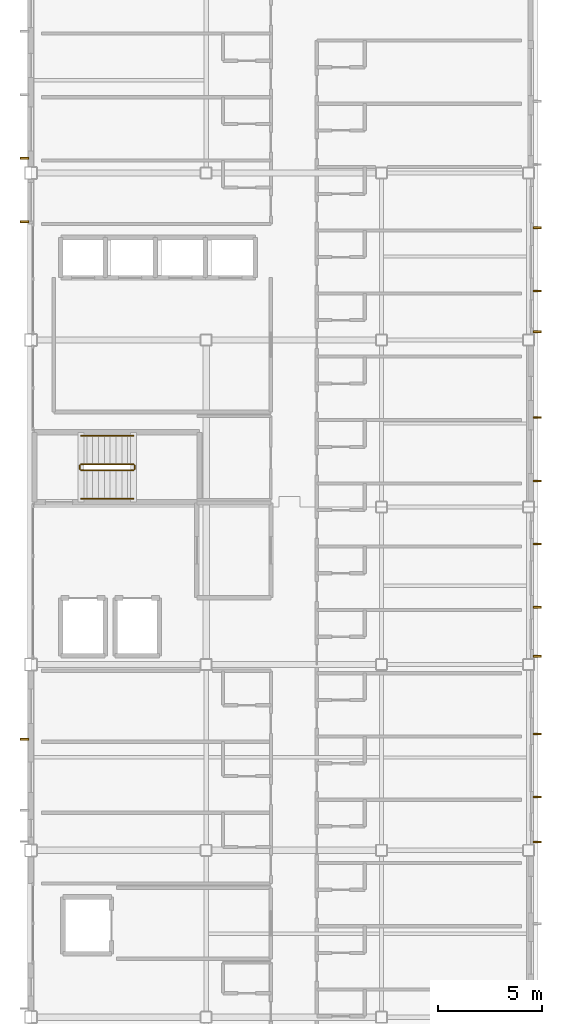
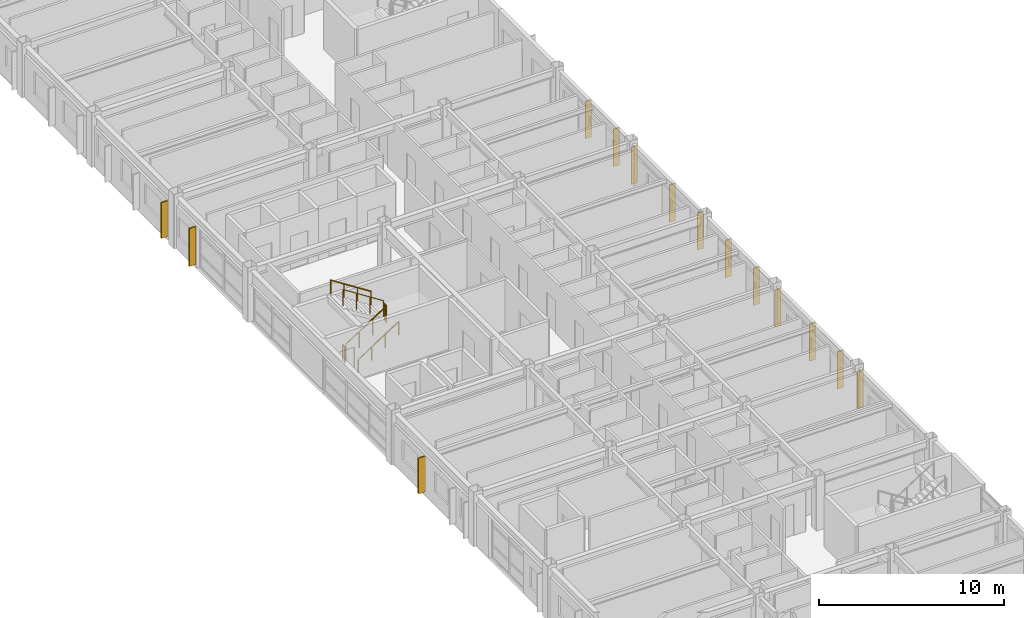
# One storey, part 36 of 38: 11 shading devices, 6 railings, 3 coverings.
"""IFC4 building model written with IfcOpenShell, lengths in metres."""

from ifc_helpers import new_model, si_unit, direction, frame, origin, origin_2d, place, context, subcontext, project, spatial, rectangle, circle, extrude, material, layer, layer_set, type_object, element, save


model = new_model("IFC4")

# Units and contexts
model_context = context("Model", 3, precision=1e-05, world=origin(), true_north=direction((0.0, 1.0)))
body_context = subcontext(model_context, "Body", "Model", "MODEL_VIEW")
ifc_project = project(units=[si_unit("LENGTHUNIT", "METRE"), si_unit("AREAUNIT", "SQUARE_METRE"), si_unit("VOLUMEUNIT", "CUBIC_METRE"), si_unit("PLANEANGLEUNIT", "RADIAN"), si_unit("MASSUNIT", "GRAM", prefix="KILO")], contexts=[model_context])

# Site, building, storey
site_placement = place(None, origin())
site = spatial("IfcSite", under=ifc_project, at=site_placement, CompositionType="ELEMENT")
building_placement = place(site_placement, origin())
building = spatial("IfcBuilding", under=site, at=building_placement, Name="Kazehara Bluff Congress Hotel", CompositionType="ELEMENT")
storey_placement = place(building_placement, frame((0.0, 0.0, 24.60009765625)))
storey = spatial("IfcBuildingStorey", under=building, at=storey_placement, Name="L05", CompositionType="ELEMENT", Elevation=24.60009765625)

# Coverings
ifc_material_1 = material(Name="Anodised aluminium architectural brise-soleil", Category="aluminium")
ifc_layer_1 = layer(ifc_material_1, 0.090087890625)
ifc_layer_set_1 = layer_set([ifc_layer_1], Name="Anodised aluminium architectural brise-soleil")
covering_type = type_object("IfcCoveringType", Name="TP-FFN-02", PredefinedType="CLADDING", material=ifc_layer_set_1)
covering_1_placement = place(storey_placement, frame((143.389892578125, 37.320068359375, 0.202392578125), z_axis=(0.0, 0.0, 1.0), x_axis=(1.0, 0.0, 0.0)))
element("IfcCovering", 1, at=covering_1_placement, inside=storey, type_object=covering_type, Name="L05 architectural vertical fin 37", PredefinedType="CLADDING", context=body_context, shape_type="SweptSolid", body=[
    extrude(rectangle(XDim=0.419921875, YDim=0.090087890625, at=origin_2d()), origin(), (0.0, 0.0, 1.0), 2.35498046875),
])
covering_2_placement = place(storey_placement, frame((143.389892578125, 62.1201171875, 0.197509765625), z_axis=(0.0, 0.0, 1.0), x_axis=(1.0, 0.0, 0.0)))
element("IfcCovering", 2, at=covering_2_placement, inside=storey, type_object=covering_type, Name="L05 architectural vertical fin 38", PredefinedType="CLADDING", context=body_context, shape_type="SweptSolid", body=[
    extrude(rectangle(XDim=0.419921875, YDim=0.090087890625, at=origin_2d()), origin(), (0.0, 0.0, 1.0), 2.5048828125),
])
covering_3_placement = place(storey_placement, frame((143.389892578125, 65.1650390625, 0.202392578125), z_axis=(0.0, 0.0, 1.0), x_axis=(1.0, 0.0, 0.0)))
element("IfcCovering", 3, at=covering_3_placement, inside=storey, type_object=covering_type, Name="L05 architectural vertical fin 39", PredefinedType="CLADDING", context=body_context, shape_type="SweptSolid", body=[
    extrude(rectangle(XDim=0.419921875, YDim=0.090087890625, at=origin_2d()), origin(), (0.0, 0.0, 1.0), 2.35498046875),
])

# Railings
ifc_material_2 = material(Name="Brushed stainless steel", Category="steel")
railing_type_1 = type_object("IfcRailingType", Name="TP-GRD-INT", PredefinedType="GUARDRAIL", material=ifc_material_2)
railing_1_placement = place(storey_placement, frame((146.10009765625, 50.199951171875, 0.179931640625)))
element("IfcRailing", 4, at=railing_1_placement, inside=storey, type_object=railing_type_1, Name="L05 ST-11 stair guard 1", PredefinedType="GUARDRAIL", context=body_context, shape_type="SweptSolid", body=[
    extrude(circle(Radius=0.02392578125, at=origin_2d()), frame((0.0, 0.0, 1.076171875), z_axis=(0.841199657755, 0.0, 0.540724639528), x_axis=(0.0, 1.0, 0.0)), (0.0, 0.0, 1.0), 2.995849609375),
    extrude(circle(Radius=0.02099609375, at=origin_2d()), origin(), (0.0, 0.0, 1.0), 1.052001953125),
    extrude(circle(Radius=0.02099609375, at=origin_2d()), frame((0.840087890625, 0.0, 0.5400390625)), (0.0, 0.0, 1.0), 1.052001953125),
    extrude(circle(Radius=0.02099609375, at=origin_2d()), frame((1.679931640625, 0.0, 1.079833984375)), (0.0, 0.0, 1.0), 1.052001953125),
    extrude(circle(Radius=0.02099609375, at=origin_2d()), frame((2.52001953125, 0.0, 1.619873046875)), (0.0, 0.0, 1.0), 1.052001953125),
])
railing_2_placement = place(storey_placement, frame((148.669921875, 50.25, 1.7998046875)))
element("IfcRailing", 5, at=railing_2_placement, inside=storey, type_object=railing_type_1, Name="L05 ST-11 stair guard 2", PredefinedType="GUARDRAIL", context=body_context, shape_type="SweptSolid", body=[
    extrude(circle(Radius=0.02392578125, at=origin_2d()), frame((0.0, 0.0, 1.076171875), z_axis=(0.0, 1.0, 0.0), x_axis=(-1.0, 0.0, 0.0)), (0.0, 0.0, 1.0), 0.199951171875),
    extrude(circle(Radius=0.02099609375, at=origin_2d()), origin(), (0.0, 0.0, 1.0), 1.052001953125),
    extrude(circle(Radius=0.02099609375, at=origin_2d()), frame((0.0, 0.199951171875, 0.0)), (0.0, 0.0, 1.0), 1.052001953125),
])
railing_3_placement = place(storey_placement, frame((148.6201171875, 50.5, 1.97998046875)))
element("IfcRailing", 6, at=railing_3_placement, inside=storey, type_object=railing_type_1, Name="L05 ST-11 stair guard 3", PredefinedType="GUARDRAIL", context=body_context, shape_type="SweptSolid", body=[
    extrude(circle(Radius=0.02392578125, at=origin_2d()), frame((0.0, 0.0, 1.076171875), z_axis=(-0.841199657755, 0.0, 0.540724639528), x_axis=(0.0, -1.0, 0.0)), (0.0, 0.0, 1.0), 2.995849609375),
    extrude(circle(Radius=0.02099609375, at=origin_2d()), origin(), (0.0, 0.0, 1.0), 1.052001953125),
    extrude(circle(Radius=0.02099609375, at=origin_2d()), frame((-0.840087890625, 0.0, 0.5400390625)), (0.0, 0.0, 1.0), 1.052001953125),
    extrude(circle(Radius=0.02099609375, at=origin_2d()), frame((-1.679931640625, 0.0, 1.079833984375)), (0.0, 0.0, 1.0), 1.052001953125),
    extrude(circle(Radius=0.02099609375, at=origin_2d()), frame((-2.52001953125, 0.0, 1.619873046875)), (0.0, 0.0, 1.0), 1.052001953125),
])
railing_4_placement = place(storey_placement, frame((146.050048828125, 50.25, 0.0)))
element("IfcRailing", 7, at=railing_4_placement, inside=storey, type_object=railing_type_1, Name="L05 ST-11 stair guard 4", PredefinedType="GUARDRAIL", context=body_context, shape_type="SweptSolid", body=[
    extrude(circle(Radius=0.02392578125, at=origin_2d()), frame((0.0, 0.0, 1.076171875), z_axis=(0.0, 1.0, 0.0), x_axis=(-1.0, 0.0, 0.0)), (0.0, 0.0, 1.0), 0.199951171875),
    extrude(circle(Radius=0.02099609375, at=origin_2d()), origin(), (0.0, 0.0, 1.0), 1.052001953125),
    extrude(circle(Radius=0.02099609375, at=origin_2d()), frame((0.0, 0.199951171875, 0.0)), (0.0, 0.0, 1.0), 1.052001953125),
])
ifc_material_3 = material(Name="Brushed stainless steel", Category="steel")
railing_type_2 = type_object("IfcRailingType", Name="TP-HR-INT", PredefinedType="HANDRAIL", material=ifc_material_3)
railing_5_placement = place(storey_placement, frame((146.10009765625, 48.85009765625, 0.179931640625)))
element("IfcRailing", 8, at=railing_5_placement, inside=storey, type_object=railing_type_2, Name="L05 ST-11 stair handrail 1", PredefinedType="HANDRAIL", context=body_context, shape_type="SweptSolid", body=[
    extrude(circle(Radius=0.02392578125, at=origin_2d()), frame((0.0, 0.0, 0.8759765625), z_axis=(0.841199657755, 0.0, 0.540724639528), x_axis=(0.0, 1.0, 0.0)), (0.0, 0.0, 1.0), 2.995849609375),
    extrude(circle(Radius=0.02099609375, at=origin_2d()), origin(), (0.0, 0.0, 1.0), 0.851806640625),
    extrude(circle(Radius=0.02099609375, at=origin_2d()), frame((0.840087890625, 0.0, 0.5400390625)), (0.0, 0.0, 1.0), 0.851806640625),
    extrude(circle(Radius=0.02099609375, at=origin_2d()), frame((1.679931640625, 0.0, 1.079833984375)), (0.0, 0.0, 1.0), 0.851806640625),
    extrude(circle(Radius=0.02099609375, at=origin_2d()), frame((2.52001953125, 0.0, 1.619873046875)), (0.0, 0.0, 1.0), 0.851806640625),
])
railing_6_placement = place(storey_placement, frame((148.6201171875, 51.85009765625, 1.97998046875)))
element("IfcRailing", 9, at=railing_6_placement, inside=storey, type_object=railing_type_2, Name="L05 ST-11 stair handrail 2", PredefinedType="HANDRAIL", context=body_context, shape_type="SweptSolid", body=[
    extrude(circle(Radius=0.02392578125, at=origin_2d()), frame((0.0, 0.0, 0.8759765625), z_axis=(-0.841199657755, 0.0, 0.540724639528), x_axis=(0.0, -1.0, 0.0)), (0.0, 0.0, 1.0), 2.995849609375),
    extrude(circle(Radius=0.02099609375, at=origin_2d()), origin(), (0.0, 0.0, 1.0), 0.851806640625),
    extrude(circle(Radius=0.02099609375, at=origin_2d()), frame((-0.840087890625, 0.0, 0.5400390625)), (0.0, 0.0, 1.0), 0.851806640625),
    extrude(circle(Radius=0.02099609375, at=origin_2d()), frame((-1.679931640625, 0.0, 1.079833984375)), (0.0, 0.0, 1.0), 0.851806640625),
    extrude(circle(Radius=0.02099609375, at=origin_2d()), frame((-2.52001953125, 0.0, 1.619873046875)), (0.0, 0.0, 1.0), 0.851806640625),
])

# Shading devices
ifc_material_4 = material(Name="Anodised aluminium", Category="aluminium")
ifc_layer_2 = layer(ifc_material_4, 0.080078125)
ifc_layer_set_2 = layer_set([ifc_layer_2], Name="Anodised aluminium")
shading_device_type = type_object("IfcShadingDeviceType", Name="TP-SHD-FIN", PredefinedType="USERDEFINED", material=ifc_layer_set_2)
for number, where, z_axis, x_axis, name in (
    (10, (167.9599609375, 32.39501953125, 0.202392578125), (0.0, 0.0, 1.0), (1.0, 0.0, 0.0), "L05 solar shading fin 8"),
    (11, (167.9599609375, 34.544921875, 0.202392578125), (0.0, 0.0, 1.0), (1.0, 0.0, 0.0), "L05 solar shading fin 9"),
    (12, (167.9599609375, 37.574951171875, 0.202392578125), (0.0, 0.0, 1.0), (1.0, 0.0, 0.0), "L05 solar shading fin 10"),
    (13, (167.9599609375, 41.294921875, 0.202392578125), (0.0, 0.0, 1.0), (1.0, 0.0, 0.0), "L05 solar shading fin 11"),
    (14, (167.9599609375, 43.639892578125, 0.202392578125), (0.0, 0.0, 1.0), (1.0, 0.0, 0.0), "L05 solar shading fin 12"),
    (15, (167.9599609375, 46.669921875, 0.202392578125), (0.0, 0.0, 1.0), (1.0, 0.0, 0.0), "L05 solar shading fin 13"),
    (16, (167.9599609375, 49.699951171875, 0.202392578125), (0.0, 0.0, 1.0), (1.0, 0.0, 0.0), "L05 solar shading fin 14"),
    (17, (167.9599609375, 52.72998046875, 0.202392578125), (0.0, 0.0, 1.0), (1.0, 0.0, 0.0), "L05 solar shading fin 15"),
    (18, (167.9599609375, 56.844970703125, 0.202392578125), (0.0, 0.0, 1.0), (1.0, 0.0, 0.0), "L05 solar shading fin 16"),
    (19, (167.9599609375, 58.794921875, 0.202392578125), (0.0, 0.0, 1.0), (1.0, 0.0, 0.0), "L05 solar shading fin 17"),
    (20, (167.9599609375, 61.824951171875, 0.202392578125), (0.0, 0.0, 1.0), (1.0, 0.0, 0.0), "L05 solar shading fin 18"),
):
    element("IfcShadingDevice", number, at=place(storey_placement, frame(where, z_axis=z_axis, x_axis=x_axis)), inside=storey, type_object=shading_device_type, Name=name, ObjectType="FIN", PredefinedType="USERDEFINED", context=body_context, shape_type="SweptSolid", body=[
        extrude(rectangle(XDim=0.3798828125, YDim=0.080078125, at=origin_2d()), origin(), (0.0, 0.0, 1.0), 2.455078125),
    ])

save(model, "model.ifc")
